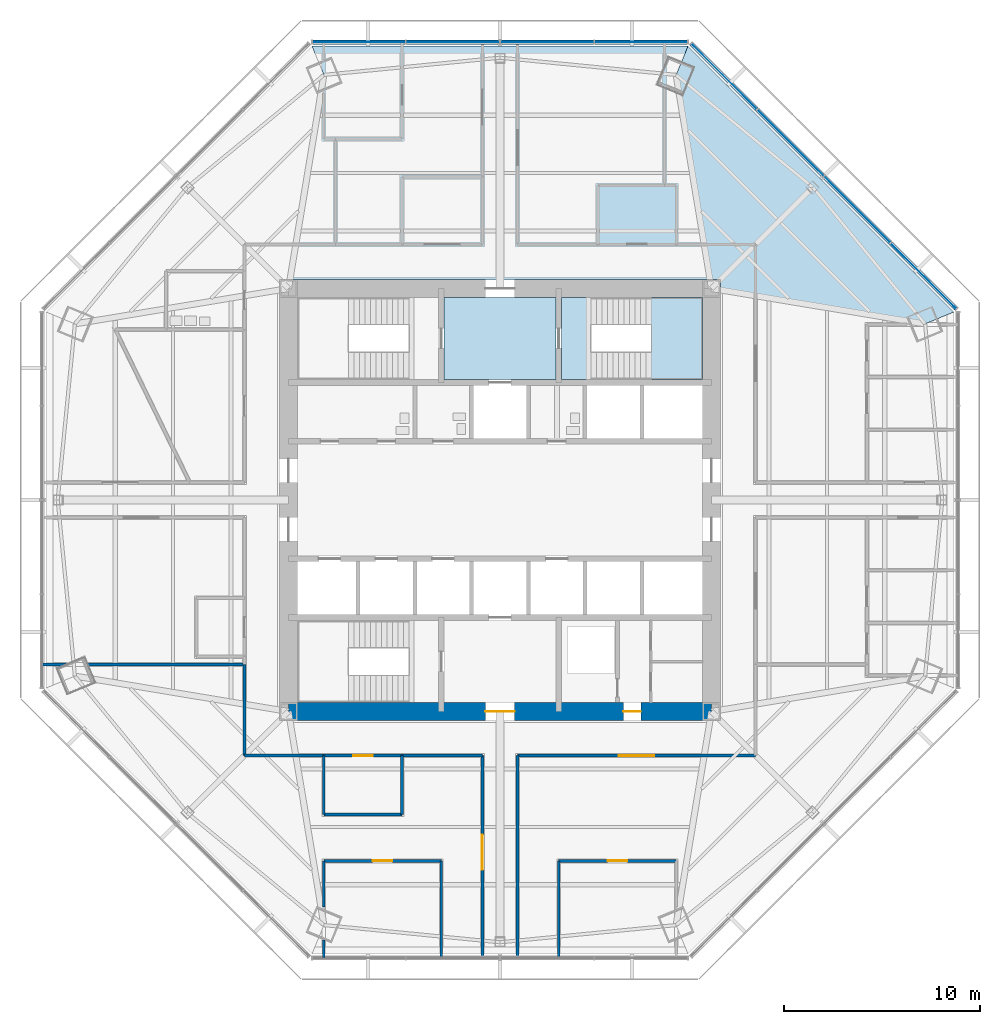
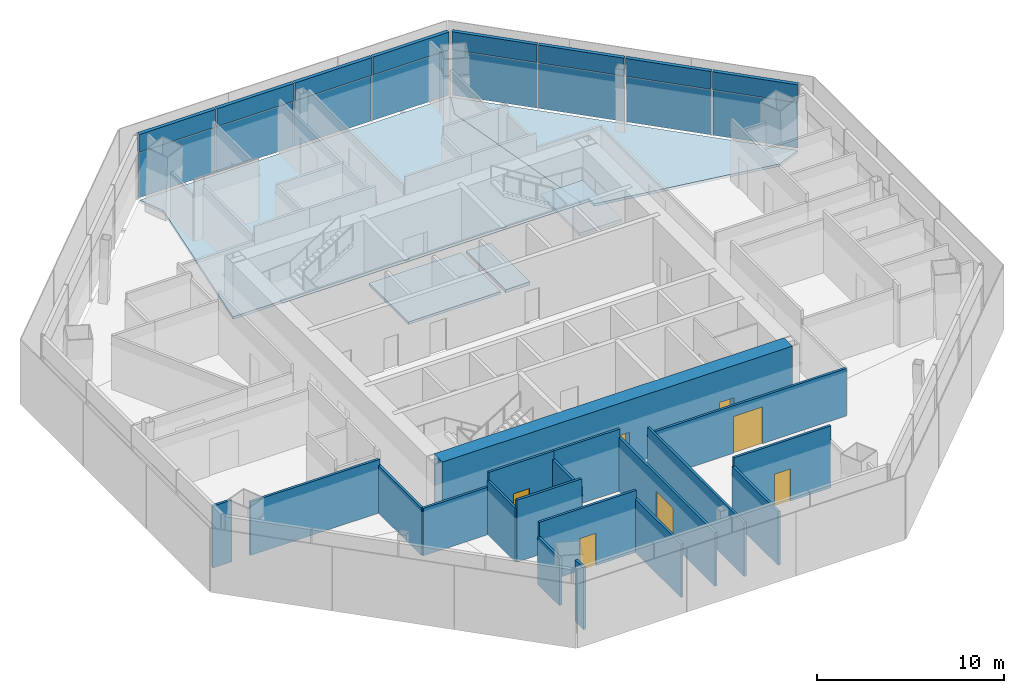
# One storey, part 8 of 15: 19 walls, 16 plates, 7 doors, 5 slabs, 7 openings, 3 elements without a shape of their own.
"""IFC4 building model written with IfcOpenShell, lengths in metres."""

from ifc_helpers import new_model, si_unit, direction, frame, frame_2d, origin, origin_2d, place, context, subcontext, project, spatial, polyline, rectangle, outline, extrude, source, transform, mapped, material, layer, layer_set, type_object, type_shapes, element, fill, aggregate, save


model = new_model("IFC4")

# Units and contexts
model_context = context("Model", 3, precision=1e-05, world=origin(), true_north=direction((0.0, 1.0)))
body_context = subcontext(model_context, "Body", "Model", "MODEL_VIEW")
ifc_project = project(units=[si_unit("LENGTHUNIT", "METRE"), si_unit("AREAUNIT", "SQUARE_METRE"), si_unit("VOLUMEUNIT", "CUBIC_METRE"), si_unit("PLANEANGLEUNIT", "RADIAN"), si_unit("MASSUNIT", "GRAM", prefix="KILO")], contexts=[model_context])

# Site, building, storey
site_placement = place(None, origin())
site = spatial("IfcSite", under=ifc_project, at=site_placement, CompositionType="ELEMENT")
building_placement = place(site_placement, origin())
building = spatial("IfcBuilding", under=site, at=building_placement, Name="Mashrafa Tower", CompositionType="ELEMENT")
storey_placement = place(building_placement, frame((0.0, 0.0, 163.800048828125)))
storey = spatial("IfcBuildingStorey", under=building, at=storey_placement, Name="L37", CompositionType="ELEMENT", Elevation=163.800048828125)

# Slabs
ifc_material_1 = material(Name="Concrete C35/45", Category="concrete")
ifc_layer_1 = layer(ifc_material_1, 0.1650390625)
ifc_layer_set_1 = layer_set([ifc_layer_1], Name="Floor slab 165")
slab_type_1 = type_object("IfcSlabType", Name="Floor slab 165", PredefinedType="FLOOR", material=ifc_layer_set_1)
slab_1_placement = place(storey_placement, frame((0.0, 0.0, -0.1650390625)))
element("IfcSlab", 1, at=slab_1_placement, inside=storey, type_object=slab_type_1, Name="Floor slab L37 north-east bay", PredefinedType="FLOOR", context=body_context, shape_type="SweptSolid", body=[
    extrude(outline(polyline([(9.601806640625, 23.18115234375), (23.18115234375, 9.601806640625), (23.18115234375, 9.601806640625), (21.70751953125, 8.991455078125), (11.25, 10.725341796875), (11.25, 11.25), (10.725341796875, 11.25), (8.991455078125, 21.70751953125), (9.601806640625, 23.18115234375), (9.601806640625, 23.18115234375)])), origin(), (0.0, 0.0, 1.0), 0.1650390625),
])
slab_2_placement = place(storey_placement, frame((0.0, 0.0, -0.1650390625)))
element("IfcSlab", 2, at=slab_2_placement, inside=storey, type_object=slab_type_1, Name="Floor slab L37 north bay", PredefinedType="FLOOR", context=body_context, shape_type="SweptSolid", body=[
    extrude(outline(polyline([(9.601806640625, 23.18115234375), (8.991455078125, 21.70751953125), (10.725341796875, 11.25), (-10.725341796875, 11.25), (-8.991455078125, 21.70751953125), (-9.601806640625, 23.18115234375), (9.601806640625, 23.18115234375)])), origin(), (0.0, 0.0, 1.0), 0.1650390625),
])
slab_3_placement = place(storey_placement, frame((0.0, 0.0, -0.1650390625)))
element("IfcSlab", 3, at=slab_3_placement, inside=storey, type_object=slab_type_1, Name="Core floor fire-fighting lobby north L37", PredefinedType="FLOOR", context=body_context, shape_type="SweptSolid", body=[
    extrude(outline(polyline([(-2.85009765625, 10.35009765625), (2.85009765625, 10.35009765625), (2.85009765625, 6.14990234375), (-2.85009765625, 6.14990234375), (-2.85009765625, 10.35009765625)])), origin(), (0.0, 0.0, 1.0), 0.1650390625),
])

# Stair, slabs
ifc_material_2 = material(Name="Exit stair 1400")
stair_type = type_object("IfcStairType", Name="Exit stair 1400", PredefinedType="HALF_TURN_STAIR", material=ifc_material_2)
stair_placement = place(storey_placement, origin())
stair = element("IfcStair", 4, at=stair_placement, inside=storey, type_object=stair_type, Name="Stair S2 L37", PredefinedType="HALF_TURN_STAIR")
ifc_material_3 = material(Name="Concrete C32/40", Category="concrete")
ifc_layer_2 = layer(ifc_material_3, 0.199951171875)
ifc_layer_set_2 = layer_set([ifc_layer_2], Name="Stair landing 200")
slab_type_2 = type_object("IfcSlabType", Name="Stair landing 200", PredefinedType="LANDING", material=ifc_layer_set_2)
slab_4_placement = place(storey_placement, frame((0.0, 0.0, -0.199951171875)))
slab_4 = element("IfcSlab", 5, at=slab_4_placement, type_object=slab_type_2, Name="S2 landing 1", PredefinedType="LANDING", context=body_context, shape_type="SweptSolid", body=[
    extrude(outline(polyline([(3.14990234375, 6.14990234375), (4.659912109375, 6.14990234375), (4.659912109375, 10.35009765625), (3.14990234375, 10.35009765625), (3.14990234375, 6.14990234375)])), origin(), (0.0, 0.0, 1.0), 0.199951171875),
])
slab_5_placement = place(storey_placement, frame((0.0, 0.0, 1.89990234375)))
slab_5 = element("IfcSlab", 6, at=slab_5_placement, type_object=slab_type_2, Name="S2 landing 2", PredefinedType="LANDING", context=body_context, shape_type="SweptSolid", body=[
    extrude(outline(polyline([(7.719970703125, 6.14990234375), (10.35009765625, 6.14990234375), (10.35009765625, 10.35009765625), (7.719970703125, 10.35009765625), (7.719970703125, 6.14990234375)])), origin(), (0.0, 0.0, 1.0), 0.199951171875),
])
aggregate(stair, [slab_4, slab_5])

# Curtain wall, plates
ifc_material_4 = material(Name="Unitised aluminium curtain wall", Category="aluminium")
curtain_wall_type = type_object("IfcCurtainWallType", Name="Office curtain wall, zone 2 CW-B 225 deep", PredefinedType="NOTDEFINED", material=ifc_material_4)
curtain_wall_1_placement = place(storey_placement, origin())
curtain_wall_1 = element("IfcCurtainWall", 7, at=curtain_wall_1_placement, inside=storey, type_object=curtain_wall_type, Name="Office curtain wall, zone 2 L37 north-east", PredefinedType="NOTDEFINED")
ifc_material_5 = material(Name="Insulated double glazing, low-e, neutral", Category="glass")
ifc_layer_3 = layer(ifc_material_5, 0.028076171875)
ifc_layer_set_3 = layer_set([ifc_layer_3], Name="Vision panel CW-B 28")
plate_type_1 = type_object("IfcPlateType", Name="Vision panel CW-B 28", PredefinedType="CURTAIN_PANEL", material=ifc_layer_set_3)
shared_shape_1 = source(origin(), body_context, "Body", "SweptSolid", [
    extrude(rectangle(XDim=4.716552734375, YDim=0.028076171875, at=origin_2d()), origin(), (0.0, 0.0, 1.0), 2.9599609375),
])
plate_1_placement = place(storey_placement, frame((21.62744140625, 11.438232421875, 0.0), z_axis=(0.0, 0.0, 1.0), x_axis=(-0.707106781187, 0.707106781187, 0.0)))
plate_1 = element("IfcPlate", 8, at=plate_1_placement, type_object=plate_type_1, Name="CW-B vision panel 1", PredefinedType="CURTAIN_PANEL", context=body_context, shape_type="MappedRepresentation", body=[
    mapped(shared_shape_1, transform((0.0, 0.0, 0.0))),
])
plate_2_placement = place(storey_placement, frame((11.438232421875, 21.62744140625, 0.0), z_axis=(0.0, 0.0, 1.0), x_axis=(-0.707106781187, 0.707106781187, 0.0)))
plate_2 = element("IfcPlate", 9, at=plate_2_placement, type_object=plate_type_1, Name="CW-B vision panel 4", PredefinedType="CURTAIN_PANEL", context=body_context, shape_type="MappedRepresentation", body=[
    mapped(shared_shape_1, transform((0.0, 0.0, 0.0))),
])

curtain_wall_2_placement = place(storey_placement, origin())
curtain_wall_2 = element("IfcCurtainWall", 10, at=curtain_wall_2_placement, inside=storey, type_object=curtain_wall_type, Name="Office curtain wall, zone 2 L37 north", PredefinedType="NOTDEFINED")
plate_3_placement = place(storey_placement, frame((7.204833984375, 23.381103515625, 0.0), z_axis=(0.0, 0.0, 1.0), x_axis=(-1.0, 0.0, 0.0)))
plate_3 = element("IfcPlate", 11, at=plate_3_placement, type_object=plate_type_1, Name="CW-B vision panel 1", PredefinedType="CURTAIN_PANEL", context=body_context, shape_type="MappedRepresentation", body=[
    mapped(shared_shape_1, transform((0.0, 0.0, 0.0))),
])
plate_4_placement = place(storey_placement, frame((-7.204833984375, 23.381103515625, 0.0), z_axis=(0.0, 0.0, 1.0), x_axis=(-1.0, 0.0, 0.0)))
plate_4 = element("IfcPlate", 12, at=plate_4_placement, type_object=plate_type_1, Name="CW-B vision panel 4", PredefinedType="CURTAIN_PANEL", context=body_context, shape_type="MappedRepresentation", body=[
    mapped(shared_shape_1, transform((0.0, 0.0, 0.0))),
])

# Plate
ifc_material_6 = material(Name="Insulated aluminium spandrel panel", Category="aluminium")
ifc_layer_4 = layer(ifc_material_6, 0.219970703125)
ifc_layer_set_4 = layer_set([ifc_layer_4], Name="Spandrel panel CW-B 220")
plate_type_2 = type_object("IfcPlateType", Name="Spandrel panel CW-B 220", PredefinedType="CURTAIN_PANEL", material=ifc_layer_set_4)
shared_shape_2 = source(origin(), body_context, "Body", "SweptSolid", [
    extrude(rectangle(XDim=4.716552734375, YDim=0.219970703125, at=origin_2d()), origin(), (0.0, 0.0, 1.0), 1.159912109375),
])
plate_5_placement = place(storey_placement, frame((21.62744140625, 11.438232421875, 3.0400390625), z_axis=(0.0, 0.0, 1.0), x_axis=(-0.707106781187, 0.707106781187, 0.0)))
plate_5 = element("IfcPlate", 13, at=plate_5_placement, type_object=plate_type_2, Name="CW-B spandrel panel 1", PredefinedType="CURTAIN_PANEL", context=body_context, shape_type="MappedRepresentation", body=[
    mapped(shared_shape_2, transform((0.0, 0.0, 0.0))),
])

plate_6_placement = place(storey_placement, frame((11.438232421875, 21.62744140625, 3.0400390625), z_axis=(0.0, 0.0, 1.0), x_axis=(-0.707106781187, 0.707106781187, 0.0)))
plate_6 = element("IfcPlate", 14, at=plate_6_placement, type_object=plate_type_2, Name="CW-B spandrel panel 4", PredefinedType="CURTAIN_PANEL", context=body_context, shape_type="MappedRepresentation", body=[
    mapped(shared_shape_2, transform((0.0, 0.0, 0.0))),
])

plate_7_placement = place(storey_placement, frame((7.204833984375, 23.381103515625, 3.0400390625), z_axis=(0.0, 0.0, 1.0), x_axis=(-1.0, 0.0, 0.0)))
plate_7 = element("IfcPlate", 15, at=plate_7_placement, type_object=plate_type_2, Name="CW-B spandrel panel 1", PredefinedType="CURTAIN_PANEL", context=body_context, shape_type="MappedRepresentation", body=[
    mapped(shared_shape_2, transform((0.0, 0.0, 0.0))),
])

plate_8_placement = place(storey_placement, frame((-7.204833984375, 23.381103515625, 3.0400390625), z_axis=(0.0, 0.0, 1.0), x_axis=(-1.0, 0.0, 0.0)))
plate_8 = element("IfcPlate", 16, at=plate_8_placement, type_object=plate_type_2, Name="CW-B spandrel panel 4", PredefinedType="CURTAIN_PANEL", context=body_context, shape_type="MappedRepresentation", body=[
    mapped(shared_shape_2, transform((0.0, 0.0, 0.0))),
])

shared_shape_3 = source(origin(), body_context, "Body", "SweptSolid", [
    extrude(rectangle(XDim=4.7490234375, YDim=0.028076171875, at=origin_2d()), origin(), (0.0, 0.0, 1.0), 2.9599609375),
])
type_shapes(plate_type_1, [shared_shape_1, shared_shape_3])
plate_9_placement = place(storey_placement, frame((18.23486328125, 14.830810546875, 0.0), z_axis=(0.0, 0.0, 1.0), x_axis=(-0.707106781187, 0.707106781187, 0.0)))
plate_9 = element("IfcPlate", 17, at=plate_9_placement, type_object=plate_type_1, Name="CW-B vision panel 2", PredefinedType="CURTAIN_PANEL", context=body_context, shape_type="MappedRepresentation", body=[
    mapped(shared_shape_3, transform((0.0, 0.0, 0.0))),
])

plate_10_placement = place(storey_placement, frame((14.830810546875, 18.23486328125, 0.0), z_axis=(0.0, 0.0, 1.0), x_axis=(-0.707106781187, 0.707106781187, 0.0)))
plate_10 = element("IfcPlate", 18, at=plate_10_placement, type_object=plate_type_1, Name="CW-B vision panel 3", PredefinedType="CURTAIN_PANEL", context=body_context, shape_type="MappedRepresentation", body=[
    mapped(shared_shape_3, transform((0.0, 0.0, 0.0))),
])

plate_11_placement = place(storey_placement, frame((2.406982421875, 23.381103515625, 0.0), z_axis=(0.0, 0.0, 1.0), x_axis=(-1.0, 0.0, 0.0)))
plate_11 = element("IfcPlate", 19, at=plate_11_placement, type_object=plate_type_1, Name="CW-B vision panel 2", PredefinedType="CURTAIN_PANEL", context=body_context, shape_type="MappedRepresentation", body=[
    mapped(shared_shape_3, transform((0.0, 0.0, 0.0))),
])

plate_12_placement = place(storey_placement, frame((-2.406982421875, 23.381103515625, 0.0), z_axis=(0.0, 0.0, 1.0), x_axis=(-1.0, 0.0, 0.0)))
plate_12 = element("IfcPlate", 20, at=plate_12_placement, type_object=plate_type_1, Name="CW-B vision panel 3", PredefinedType="CURTAIN_PANEL", context=body_context, shape_type="MappedRepresentation", body=[
    mapped(shared_shape_3, transform((0.0, 0.0, 0.0))),
])

shared_shape_4 = source(origin(), body_context, "Body", "SweptSolid", [
    extrude(rectangle(XDim=4.7490234375, YDim=0.219970703125, at=origin_2d()), origin(), (0.0, 0.0, 1.0), 1.159912109375),
])
type_shapes(plate_type_2, [shared_shape_2, shared_shape_4])
plate_13_placement = place(storey_placement, frame((18.23486328125, 14.830810546875, 3.0400390625), z_axis=(0.0, 0.0, 1.0), x_axis=(-0.707106781187, 0.707106781187, 0.0)))
plate_13 = element("IfcPlate", 21, at=plate_13_placement, type_object=plate_type_2, Name="CW-B spandrel panel 2", PredefinedType="CURTAIN_PANEL", context=body_context, shape_type="MappedRepresentation", body=[
    mapped(shared_shape_4, transform((0.0, 0.0, 0.0))),
])

plate_14_placement = place(storey_placement, frame((14.830810546875, 18.23486328125, 3.0400390625), z_axis=(0.0, 0.0, 1.0), x_axis=(-0.707106781187, 0.707106781187, 0.0)))
plate_14 = element("IfcPlate", 22, at=plate_14_placement, type_object=plate_type_2, Name="CW-B spandrel panel 3", PredefinedType="CURTAIN_PANEL", context=body_context, shape_type="MappedRepresentation", body=[
    mapped(shared_shape_4, transform((0.0, 0.0, 0.0))),
])

aggregate(curtain_wall_1, [plate_1, plate_5, plate_9, plate_13, plate_10, plate_14, plate_2, plate_6])

plate_15_placement = place(storey_placement, frame((2.406982421875, 23.381103515625, 3.0400390625), z_axis=(0.0, 0.0, 1.0), x_axis=(-1.0, 0.0, 0.0)))
plate_15 = element("IfcPlate", 23, at=plate_15_placement, type_object=plate_type_2, Name="CW-B spandrel panel 2", PredefinedType="CURTAIN_PANEL", context=body_context, shape_type="MappedRepresentation", body=[
    mapped(shared_shape_4, transform((0.0, 0.0, 0.0))),
])

plate_16_placement = place(storey_placement, frame((-2.406982421875, 23.381103515625, 3.0400390625), z_axis=(0.0, 0.0, 1.0), x_axis=(-1.0, 0.0, 0.0)))
plate_16 = element("IfcPlate", 24, at=plate_16_placement, type_object=plate_type_2, Name="CW-B spandrel panel 3", PredefinedType="CURTAIN_PANEL", context=body_context, shape_type="MappedRepresentation", body=[
    mapped(shared_shape_4, transform((0.0, 0.0, 0.0))),
])

aggregate(curtain_wall_2, [plate_3, plate_7, plate_11, plate_15, plate_12, plate_16, plate_4, plate_8])

# Wall, openings, doors
ifc_material_7 = material(Name="Concrete C60/75", Category="concrete")
ifc_layer_5 = layer(ifc_material_7, 0.89990234375)
ifc_layer_set_5 = layer_set([ifc_layer_5], Name="Core wall 900 C60/75")
wall_type_1 = type_object("IfcWallType", Name="Core wall 900 C60/75", PredefinedType="SOLIDWALL", material=ifc_layer_set_5)
wall_1_placement = place(storey_placement, frame((-10.800048828125, -10.800048828125, 0.0), z_axis=(0.0, 0.0, 1.0), x_axis=(1.0, 0.0, 0.0)))
wall_1 = element("IfcWall", 25, at=wall_1_placement, inside=storey, type_object=wall_type_1, Name="Core wall CW-S L37", PredefinedType="SOLIDWALL", context=body_context, shape_type="SweptSolid", body=[
    extrude(rectangle(XDim=21.60009765625, YDim=0.89990234375, at=frame_2d((10.800048828125, 0.0))), origin(), (0.0, 0.0, 1.0), 4.199951171875),
])
opening_1_placement = place(wall_1_placement, frame((10.050048828125, 0.0, 0.0)))
opening_1 = element("IfcOpeningElement", 26, at=opening_1_placement, cuts=wall_1, Name="Opening 37.029", PredefinedType="OPENING", context=body_context, shape_type="SweptSolid", body=[
    extrude(rectangle(XDim=1.5, YDim=2.10009765625, at=frame_2d((0.75, 1.050048828125))), frame((0.0, 0.4599609375, 0.0), z_axis=(0.0, -1.0, 0.0), x_axis=(1.0, 0.0, 0.0)), (0.0, 0.0, 1.0), 0.919921875),
])
opening_2_placement = place(wall_1_placement, frame((17.10009765625, 0.0, 0.0)))
opening_2 = element("IfcOpeningElement", 27, at=opening_2_placement, cuts=wall_1, Name="Opening 37.033", PredefinedType="OPENING", context=body_context, shape_type="SweptSolid", body=[
    extrude(rectangle(XDim=0.89990234375, YDim=2.10009765625, at=frame_2d((0.449951171875, 1.050048828125))), frame((0.0, 0.4599609375, 0.0), z_axis=(0.0, -1.0, 0.0), x_axis=(1.0, 0.0, 0.0)), (0.0, 0.0, 1.0), 0.919921875),
])
ifc_material_8 = material(Name="Steel door", Category="steel")
door_type_1 = type_object("IfcDoorType", Name="Lobby door pair 1500 x 2100 90 min", OperationType="DOUBLE_DOOR_SINGLE_SWING", PredefinedType="DOOR", material=ifc_material_8)
door_1_placement = place(opening_1_placement, origin())
door_1 = element("IfcDoor", 28, at=door_1_placement, inside=storey, type_object=door_type_1, Name="Fire-fighting lobby F2 door L37", OperationType="DOUBLE_DOOR_SINGLE_SWING", OverallHeight=2.10009765625, OverallWidth=1.5, PredefinedType="DOOR", context=body_context, shape_type="SweptSolid", body=[
    extrude(rectangle(XDim=1.5, YDim=2.10009765625, at=frame_2d((0.75, 1.050048828125))), frame((0.0, 0.02490234375, 0.0), z_axis=(0.0, -1.0, 0.0), x_axis=(1.0, 0.0, 0.0)), (0.0, 0.0, 1.0), 0.050048828125),
])
fill(opening_1, door_1)
ifc_material_9 = material(Name="Steel door", Category="steel")
door_type_2 = type_object("IfcDoorType", Name="Service door 900 x 2100 90 min", OperationType="USERDEFINED", PredefinedType="DOOR", material=ifc_material_9)
door_2_placement = place(opening_2_placement, frame((0.89990234375, 0.0, 0.0), z_axis=(0.0, 0.0, 1.0), x_axis=(-1.0, 0.0, 0.0)))
door_2 = element("IfcDoor", 29, at=door_2_placement, inside=storey, type_object=door_type_2, Name="Services Lobby L37 door", OperationType="SINGLE_SWING_LEFT", OverallHeight=2.10009765625, OverallWidth=0.89990234375, PredefinedType="DOOR", context=body_context, shape_type="SweptSolid", body=[
    extrude(rectangle(XDim=0.89990234375, YDim=2.10009765625, at=frame_2d((0.449951171875, 1.050048828125))), frame((0.0, 0.02490234375, 0.0), z_axis=(0.0, -1.0, 0.0), x_axis=(1.0, 0.0, 0.0)), (0.0, 0.0, 1.0), 0.050048828125),
])
fill(opening_2, door_2)

# Wall, opening, door
ifc_material_10 = material(Name="Gypsum board on steel studs", Category="steel")
ifc_layer_6 = layer(ifc_material_10, 0.14990234375)
ifc_layer_set_6 = layer_set([ifc_layer_6], Name="Corridor partition 150 1 hr")
wall_type_2 = type_object("IfcWallType", Name="Corridor partition 150 1 hr", PredefinedType="PARTITIONING", material=ifc_layer_set_6)
wall_2_placement = place(storey_placement, frame((-9.0009765625, -13.050048828125, 0.0), z_axis=(0.0, 0.0, 1.0), x_axis=(1.0, 0.0, 0.0)))
wall_2 = element("IfcWall", 30, at=wall_2_placement, inside=storey, type_object=wall_type_2, Name="Corridor wall L37-007", PredefinedType="PARTITIONING", context=body_context, shape_type="SweptSolid", body=[
    extrude(rectangle(XDim=4.001953125, YDim=0.14990234375, at=frame_2d((2.0009765625, 0.0))), origin(), (0.0, 0.0, 1.0), 4.034912109375),
])
opening_3_placement = place(wall_2_placement, frame((1.5009765625, 0.0, 0.0)))
opening_3 = element("IfcOpeningElement", 31, at=opening_3_placement, cuts=wall_2, Name="Opening 37.006", PredefinedType="OPENING", context=body_context, shape_type="SweptSolid", body=[
    extrude(rectangle(XDim=1.0, YDim=2.10009765625, at=frame_2d((0.5, 1.050048828125))), frame((0.0, 0.0849609375, 0.0), z_axis=(0.0, -1.0, 0.0), x_axis=(1.0, 0.0, 0.0)), (0.0, 0.0, 1.0), 0.169921875),
])
ifc_material_11 = material(Name="Timber door", Category="wood")
door_type_3 = type_object("IfcDoorType", Name="Door 1000 x 2100", OperationType="USERDEFINED", PredefinedType="DOOR", material=ifc_material_11)
door_3_placement = place(opening_3_placement, frame((1.0, 0.0, 0.0), z_axis=(0.0, 0.0, 1.0), x_axis=(-1.0, 0.0, 0.0)))
door_3 = element("IfcDoor", 32, at=door_3_placement, inside=storey, type_object=door_type_3, Name="Pantry 37-2 door", OperationType="SINGLE_SWING_RIGHT", OverallHeight=2.10009765625, OverallWidth=1.0, PredefinedType="DOOR", context=body_context, shape_type="SweptSolid", body=[
    extrude(rectangle(XDim=1.0, YDim=2.10009765625, at=frame_2d((0.5, 1.050048828125))), frame((0.0, 0.02490234375, 0.0), z_axis=(0.0, -1.0, 0.0), x_axis=(1.0, 0.0, 0.0)), (0.0, 0.0, 1.0), 0.050048828125),
])
fill(opening_3, door_3)

# Walls
wall_3_placement = place(storey_placement, frame((-13.050048828125, -8.39892578125, 0.0), z_axis=(0.0, 0.0, 1.0), x_axis=(0.0, -1.0, 0.0)))
element("IfcWall", 33, at=wall_3_placement, inside=storey, type_object=wall_type_2, Name="Corridor wall L37-021", PredefinedType="PARTITIONING", context=body_context, shape_type="SweptSolid", body=[
    extrude(rectangle(XDim=4.651123046875, YDim=0.14990234375, at=frame_2d((2.32568359375, 0.0))), origin(), (0.0, 0.0, 1.0), 3.097900390625),
])
wall_4_placement = place(storey_placement, frame((-13.050048828125, -13.050048828125, 0.0), z_axis=(0.0, 0.0, 1.0), x_axis=(1.0, 0.0, 0.0)))
element("IfcWall", 34, at=wall_4_placement, inside=storey, type_object=wall_type_2, Name="Corridor wall L37-022", PredefinedType="PARTITIONING", context=body_context, shape_type="SweptSolid", body=[
    extrude(rectangle(XDim=4.051025390625, YDim=0.14990234375, at=frame_2d((2.025390625, 0.0))), origin(), (0.0, 0.0, 1.0), 3.097900390625),
])
wall_5_placement = place(storey_placement, frame((-5.0009765625, -13.050048828125, 0.0), z_axis=(0.0, 0.0, 1.0), x_axis=(1.0, 0.0, 0.0)))
element("IfcWall", 35, at=wall_5_placement, inside=storey, type_object=wall_type_2, Name="Corridor wall L37-023", PredefinedType="PARTITIONING", context=body_context, shape_type="SweptSolid", body=[
    extrude(rectangle(XDim=4.10107421875, YDim=0.14990234375, at=frame_2d((2.050537109375, 0.0))), origin(), (0.0, 0.0, 1.0), 4.034912109375),
])

# Wall, opening, door
wall_6_placement = place(storey_placement, frame((-0.89990234375, -13.050048828125, 0.0), z_axis=(0.0, 0.0, 1.0), x_axis=(0.0, -1.0, 0.0)))
wall_6 = element("IfcWall", 36, at=wall_6_placement, inside=storey, type_object=wall_type_2, Name="Corridor wall L37-024", PredefinedType="PARTITIONING", context=body_context, shape_type="SweptSolid", body=[
    extrude(rectangle(XDim=10.31494140625, YDim=0.14990234375, at=frame_2d((5.157470703125, 0.0))), origin(), (0.0, 0.0, 1.0), 3.491455078125),
])
opening_4_placement = place(wall_6_placement, frame((4.04052734375, 0.0, 0.0)))
opening_4 = element("IfcOpeningElement", 37, at=opening_4_placement, cuts=wall_6, Name="Opening 37.020", PredefinedType="OPENING", context=body_context, shape_type="SweptSolid", body=[
    extrude(rectangle(XDim=1.800048828125, YDim=2.39990234375, at=frame_2d((0.89990234375, 1.199951171875))), frame((0.0, 0.0849609375, 0.0), z_axis=(0.0, -1.0, 0.0), x_axis=(1.0, 0.0, 0.0)), (0.0, 0.0, 1.0), 0.169921875),
])
ifc_material_12 = material(Name="Timber door", Category="wood")
door_type_4 = type_object("IfcDoorType", Name="Door pair 1800 x 2400", OperationType="DOUBLE_DOOR_SINGLE_SWING", PredefinedType="DOOR", material=ifc_material_12)
door_4_placement = place(opening_4_placement, frame((1.800048828125, 0.0, 0.0), z_axis=(0.0, 0.0, 1.0), x_axis=(-1.0, 0.0, 0.0)))
door_4 = element("IfcDoor", 38, at=door_4_placement, inside=storey, type_object=door_type_4, Name="Office Tenancy 37-2-SW1 door", OperationType="DOUBLE_DOOR_SINGLE_SWING", OverallHeight=2.39990234375, OverallWidth=1.800048828125, PredefinedType="DOOR", context=body_context, shape_type="SweptSolid", body=[
    extrude(rectangle(XDim=1.800048828125, YDim=2.39990234375, at=frame_2d((0.89990234375, 1.199951171875))), frame((0.0, 0.02490234375, 0.0), z_axis=(0.0, -1.0, 0.0), x_axis=(1.0, 0.0, 0.0)), (0.0, 0.0, 1.0), 0.050048828125),
])
fill(opening_4, door_4)

# Wall
wall_7_placement = place(storey_placement, frame((0.89990234375, -23.363037109375, 0.0), z_axis=(0.0, 0.0, 1.0), x_axis=(0.0, 1.0, 0.0)))
element("IfcWall", 39, at=wall_7_placement, inside=storey, type_object=wall_type_2, Name="Corridor wall L37-028", PredefinedType="PARTITIONING", context=body_context, shape_type="SweptSolid", body=[
    extrude(rectangle(XDim=10.31298828125, YDim=0.14990234375, at=frame_2d((5.156494140625, 0.0))), origin(), (0.0, 0.0, 1.0), 3.491455078125),
])

# Wall, opening, door
wall_8_placement = place(storey_placement, frame((0.89990234375, -13.050048828125, 0.0), z_axis=(0.0, 0.0, 1.0), x_axis=(1.0, 0.0, 0.0)))
wall_8 = element("IfcWall", 40, at=wall_8_placement, inside=storey, type_object=wall_type_2, Name="Corridor wall L37-029", PredefinedType="PARTITIONING", context=body_context, shape_type="SweptSolid", body=[
    extrude(rectangle(XDim=12.150146484375, YDim=0.14990234375, at=frame_2d((6.0751953125, 0.0))), origin(), (0.0, 0.0, 1.0), 3.097900390625),
])
opening_5_placement = place(wall_8_placement, frame((5.175048828125, 0.0, 0.0)))
opening_5 = element("IfcOpeningElement", 41, at=opening_5_placement, cuts=wall_8, Name="Opening 37.022", PredefinedType="OPENING", context=body_context, shape_type="SweptSolid", body=[
    extrude(rectangle(XDim=1.800048828125, YDim=2.39990234375, at=frame_2d((0.89990234375, 1.199951171875))), frame((0.0, 0.0849609375, 0.0), z_axis=(0.0, -1.0, 0.0), x_axis=(1.0, 0.0, 0.0)), (0.0, 0.0, 1.0), 0.169921875),
])
door_5_placement = place(opening_5_placement, frame((1.800048828125, 0.0, 0.0), z_axis=(0.0, 0.0, 1.0), x_axis=(-1.0, 0.0, 0.0)))
door_5 = element("IfcDoor", 42, at=door_5_placement, inside=storey, type_object=door_type_4, Name="Office Tenancy 37-1-SE1 door", OperationType="DOUBLE_DOOR_SINGLE_SWING", OverallHeight=2.39990234375, OverallWidth=1.800048828125, PredefinedType="DOOR", context=body_context, shape_type="SweptSolid", body=[
    extrude(rectangle(XDim=1.800048828125, YDim=2.39990234375, at=frame_2d((0.89990234375, 1.199951171875))), frame((0.0, 0.02490234375, 0.0), z_axis=(0.0, -1.0, 0.0), x_axis=(1.0, 0.0, 0.0)), (0.0, 0.0, 1.0), 0.050048828125),
])
fill(opening_5, door_5)

# Walls
ifc_material_13 = material(Name="Gypsum board on steel studs", Category="steel")
ifc_layer_7 = layer(ifc_material_13, 0.14990234375)
ifc_layer_set_7 = layer_set([ifc_layer_7], Name="Partition 150")
wall_type_3 = type_object("IfcWallType", Name="Partition 150", PredefinedType="PARTITIONING", material=ifc_layer_set_7)
wall_9_placement = place(storey_placement, frame((-9.0, -13.050048828125, 0.0), z_axis=(0.0, 0.0, 1.0), x_axis=(0.0, -1.0, 0.0)))
element("IfcWall", 43, at=wall_9_placement, inside=storey, type_object=wall_type_3, Name="Partition wall L37-049", PredefinedType="PARTITIONING", context=body_context, shape_type="SweptSolid", body=[
    extrude(rectangle(XDim=3.0, YDim=0.14990234375, at=frame_2d((1.5, 0.0))), origin(), (0.0, 0.0, 1.0), 3.491455078125),
])
wall_10_placement = place(storey_placement, frame((-9.0, -16.050048828125, 0.0), z_axis=(0.0, 0.0, 1.0), x_axis=(1.0, 0.0, 0.0)))
element("IfcWall", 44, at=wall_10_placement, inside=storey, type_object=wall_type_3, Name="Partition wall L37-050", PredefinedType="PARTITIONING", context=body_context, shape_type="SweptSolid", body=[
    extrude(rectangle(XDim=4.0, YDim=0.14990234375, at=frame_2d((2.0, 0.0))), origin(), (0.0, 0.0, 1.0), 4.034912109375),
])
wall_11_placement = place(storey_placement, frame((-5.0, -16.050048828125, 0.0), z_axis=(0.0, 0.0, 1.0), x_axis=(0.0, 1.0, 0.0)))
element("IfcWall", 45, at=wall_11_placement, inside=storey, type_object=wall_type_3, Name="Partition wall L37-051", PredefinedType="PARTITIONING", context=body_context, shape_type="SweptSolid", body=[
    extrude(rectangle(XDim=3.0, YDim=0.14990234375, at=frame_2d((1.5, 0.0))), origin(), (0.0, 0.0, 1.0), 3.491455078125),
])
wall_12_placement = place(storey_placement, frame((-3.0, -23.363037109375, 0.0), z_axis=(0.0, 0.0, 1.0), x_axis=(0.0, 1.0, 0.0)))
element("IfcWall", 46, at=wall_12_placement, inside=storey, type_object=wall_type_3, Name="Partition wall L37-070", PredefinedType="PARTITIONING", context=body_context, shape_type="SweptSolid", body=[
    extrude(rectangle(XDim=4.93212890625, YDim=0.14990234375, at=frame_2d((2.466064453125, 0.0))), origin(), (0.0, 0.0, 1.0), 3.491455078125),
])

# Wall, opening, door
wall_13_placement = place(storey_placement, frame((-3.0, -18.430908203125, 0.0), z_axis=(0.0, 0.0, 1.0), x_axis=(-1.0, 0.0, 0.0)))
wall_13 = element("IfcWall", 47, at=wall_13_placement, inside=storey, type_object=wall_type_3, Name="Partition wall L37-071", PredefinedType="PARTITIONING", context=body_context, shape_type="SweptSolid", body=[
    extrude(rectangle(XDim=6.0, YDim=0.14990234375, at=frame_2d((3.0, 0.0))), origin(), (0.0, 0.0, 1.0), 4.034912109375),
])
opening_6_placement = place(wall_13_placement, frame((2.5, 0.0, 0.0)))
opening_6 = element("IfcOpeningElement", 48, at=opening_6_placement, cuts=wall_13, Name="Opening 37.014", PredefinedType="OPENING", context=body_context, shape_type="SweptSolid", body=[
    extrude(rectangle(XDim=1.0, YDim=2.10009765625, at=frame_2d((0.5, 1.050048828125))), frame((0.0, 0.0849609375, 0.0), z_axis=(0.0, -1.0, 0.0), x_axis=(1.0, 0.0, 0.0)), (0.0, 0.0, 1.0), 0.169921875),
])
door_6_placement = place(opening_6_placement, origin())
door_6 = element("IfcDoor", 49, at=door_6_placement, inside=storey, type_object=door_type_3, Name="Meeting Room 37-2-SW1 door", OperationType="SINGLE_SWING_LEFT", OverallHeight=2.10009765625, OverallWidth=1.0, PredefinedType="DOOR", context=body_context, shape_type="SweptSolid", body=[
    extrude(rectangle(XDim=1.0, YDim=2.10009765625, at=frame_2d((0.5, 1.050048828125))), frame((0.0, 0.02490234375, 0.0), z_axis=(0.0, -1.0, 0.0), x_axis=(1.0, 0.0, 0.0)), (0.0, 0.0, 1.0), 0.050048828125),
])
fill(opening_6, door_6)

# Walls
wall_14_placement = place(storey_placement, frame((-9.0, -18.430908203125, 0.0), z_axis=(0.0, 0.0, 1.0), x_axis=(0.0, -1.0, 0.0)))
element("IfcWall", 50, at=wall_14_placement, inside=storey, type_object=wall_type_3, Name="Partition wall L37-072", PredefinedType="PARTITIONING", context=body_context, shape_type="SweptSolid", body=[
    extrude(rectangle(XDim=2.349853515625, YDim=0.14990234375, at=frame_2d((1.1748046875, 0.0))), origin(), (0.0, 0.0, 1.0), 3.097900390625),
])
wall_15_placement = place(storey_placement, frame((-9.0, -22.47705078125, 0.0), z_axis=(0.0, 0.0, 1.0), x_axis=(0.0, -1.0, 0.0)))
element("IfcWall", 51, at=wall_15_placement, inside=storey, type_object=wall_type_3, Name="Partition wall L37-073", PredefinedType="PARTITIONING", context=body_context, shape_type="SweptSolid", body=[
    extrude(rectangle(XDim=0.885986328125, YDim=0.14990234375, at=frame_2d((0.44287109375, 0.0))), origin(), (0.0, 0.0, 1.0), 4.034912109375),
])

# Wall, opening, door
wall_16_placement = place(storey_placement, frame((9.0, -18.430908203125, 0.0), z_axis=(0.0, 0.0, 1.0), x_axis=(-1.0, 0.0, 0.0)))
wall_16 = element("IfcWall", 52, at=wall_16_placement, inside=storey, type_object=wall_type_3, Name="Partition wall L37-076", PredefinedType="PARTITIONING", context=body_context, shape_type="SweptSolid", body=[
    extrude(rectangle(XDim=6.0, YDim=0.14990234375, at=frame_2d((3.0, 0.0))), origin(), (0.0, 0.0, 1.0), 4.034912109375),
])
opening_7_placement = place(wall_16_placement, frame((2.5, 0.0, 0.0)))
opening_7 = element("IfcOpeningElement", 53, at=opening_7_placement, cuts=wall_16, Name="Opening 37.015", PredefinedType="OPENING", context=body_context, shape_type="SweptSolid", body=[
    extrude(rectangle(XDim=1.0, YDim=2.10009765625, at=frame_2d((0.5, 1.050048828125))), frame((0.0, 0.0849609375, 0.0), z_axis=(0.0, -1.0, 0.0), x_axis=(1.0, 0.0, 0.0)), (0.0, 0.0, 1.0), 0.169921875),
])
door_7_placement = place(opening_7_placement, origin())
door_7 = element("IfcDoor", 54, at=door_7_placement, inside=storey, type_object=door_type_3, Name="Meeting Room 37-1-SE1 door", OperationType="SINGLE_SWING_LEFT", OverallHeight=2.10009765625, OverallWidth=1.0, PredefinedType="DOOR", context=body_context, shape_type="SweptSolid", body=[
    extrude(rectangle(XDim=1.0, YDim=2.10009765625, at=frame_2d((0.5, 1.050048828125))), frame((0.0, 0.02490234375, 0.0), z_axis=(0.0, -1.0, 0.0), x_axis=(1.0, 0.0, 0.0)), (0.0, 0.0, 1.0), 0.050048828125),
])
fill(opening_7, door_7)

# Walls
wall_17_placement = place(storey_placement, frame((3.0, -18.430908203125, 0.0), z_axis=(0.0, 0.0, 1.0), x_axis=(0.0, -1.0, 0.0)))
element("IfcWall", 55, at=wall_17_placement, inside=storey, type_object=wall_type_3, Name="Partition wall L37-077", PredefinedType="PARTITIONING", context=body_context, shape_type="SweptSolid", body=[
    extrude(rectangle(XDim=4.93212890625, YDim=0.14990234375, at=frame_2d((2.466064453125, 0.0))), origin(), (0.0, 0.0, 1.0), 3.491455078125),
])
wall_18_placement = place(storey_placement, frame((-13.050048828125, -8.39990234375, 0.0), z_axis=(0.0, 0.0, 1.0), x_axis=(-1.0, 0.0, 0.0)))
element("IfcWall", 56, at=wall_18_placement, inside=storey, type_object=wall_type_3, Name="Partition wall L37-081", PredefinedType="PARTITIONING", context=body_context, shape_type="SweptSolid", body=[
    extrude(rectangle(XDim=7.979248046875, YDim=0.14990234375, at=frame_2d((3.98974609375, 0.0))), origin(), (0.0, 0.0, 1.0), 3.491455078125),
])
wall_19_placement = place(storey_placement, frame((-22.158203125, -8.39990234375, 0.0), z_axis=(0.0, 0.0, 1.0), x_axis=(-1.0, 0.0, 0.0)))
element("IfcWall", 57, at=wall_19_placement, inside=storey, type_object=wall_type_3, Name="Partition wall L37-082", PredefinedType="PARTITIONING", context=body_context, shape_type="SweptSolid", body=[
    extrude(rectangle(XDim=1.204833984375, YDim=0.14990234375, at=frame_2d((0.6025390625, 0.0))), origin(), (0.0, 0.0, 1.0), 4.034912109375),
])

save(model, "model.ifc")
